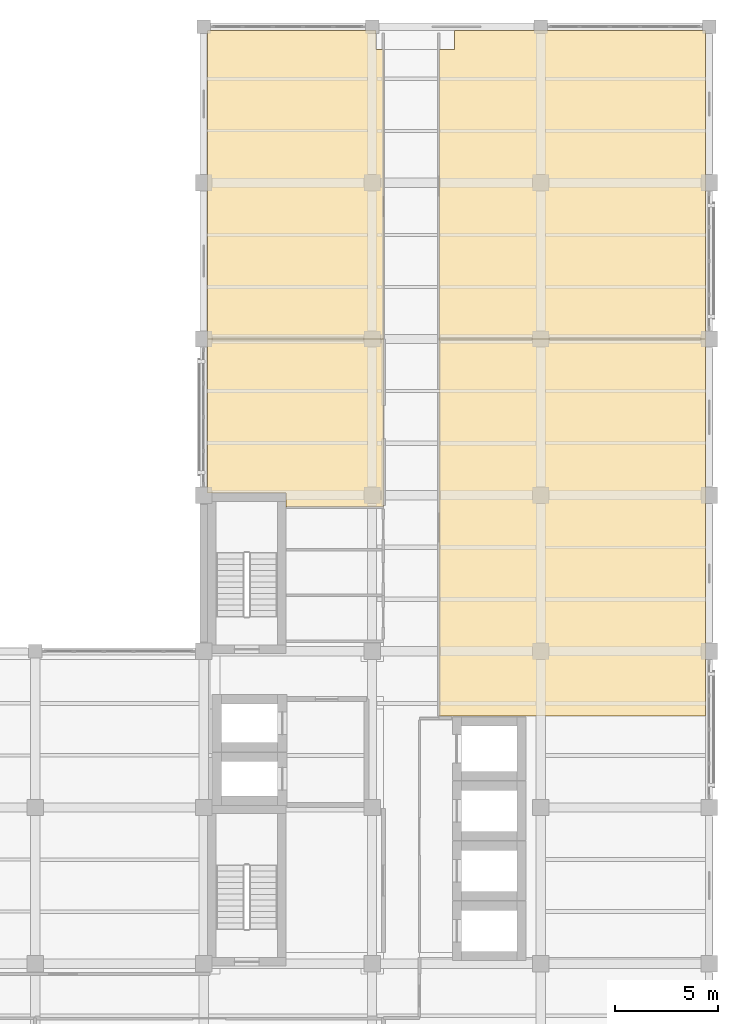
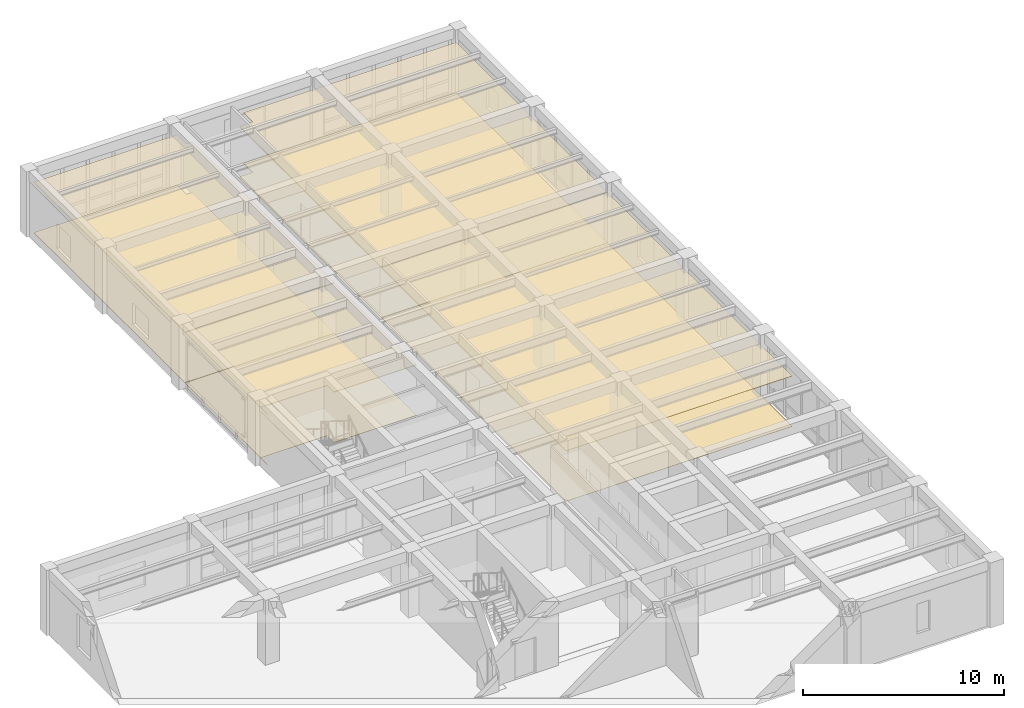
# One storey, part 13 of 13: 8 coverings.
"""IFC4 building model written with IfcOpenShell, lengths in metres."""

from ifc_helpers import new_model, si_unit, direction, frame, origin, place, context, subcontext, project, spatial, polyline, outline, extrude, material, layer, layer_set, type_object, element, save


model = new_model("IFC4")

# Units and contexts
model_context = context("Model", 3, precision=1e-05, world=origin(), true_north=direction((0.0, 1.0)))
body_context = subcontext(model_context, "Body", "Model", "MODEL_VIEW")
ifc_project = project(units=[si_unit("LENGTHUNIT", "METRE"), si_unit("AREAUNIT", "SQUARE_METRE"), si_unit("VOLUMEUNIT", "CUBIC_METRE"), si_unit("PLANEANGLEUNIT", "RADIAN"), si_unit("MASSUNIT", "GRAM", prefix="KILO")], contexts=[model_context])

# Site, building, storey
site_placement = place(None, origin())
site = spatial("IfcSite", under=ifc_project, at=site_placement, CompositionType="ELEMENT")
building_placement = place(site_placement, origin())
building = spatial("IfcBuilding", under=site, at=building_placement, Name="Qandaris Square Conservatory and Botanical Centre", CompositionType="ELEMENT")
storey_placement = place(building_placement, frame((0.0, 0.0, 45.0)))
storey = spatial("IfcBuildingStorey", under=building, at=storey_placement, Name="L10", CompositionType="ELEMENT", Elevation=45.0)

# Coverings
ifc_material_1 = material(Name="Honed Qatari Limestone", Category="masonry")
ifc_layer_1 = layer(ifc_material_1, 0.030029296875)
ifc_layer_set_1 = layer_set([ifc_layer_1], Name="Honed Qatari Limestone")
covering_type_1 = type_object("IfcCoveringType", Name="Honed Qatari Limestone Concourse Paving", PredefinedType="FLOORING", material=ifc_layer_set_1)
covering_1_placement = place(storey_placement, origin())
element("IfcCovering", 1, at=covering_1_placement, inside=storey, type_object=covering_type_1, Name="Quantitative Ecology Collaborative Seminar Room Flooring", PredefinedType="FLOORING", context=body_context, shape_type="SweptSolid", body=[
    extrude(outline(polyline([(147.949951171875, 54.60009765625), (139.3798828125, 54.60009765625), (139.3798828125, 69.6201171875), (147.60009765625, 69.6201171875), (147.60009765625, 68.699951171875), (147.949951171875, 68.699951171875), (147.949951171875, 54.60009765625)])), origin(), (0.0, 0.0, 1.0), 0.030029296875),
])
covering_2_placement = place(storey_placement, origin())
element("IfcCovering", 2, at=covering_2_placement, inside=storey, type_object=covering_type_1, Name="Floor L10 Staff Write-Up Lounge Flooring", PredefinedType="FLOORING", context=body_context, shape_type="SweptSolid", body=[
    extrude(outline(polyline([(150.64990234375, 54.60009765625), (150.64990234375, 68.699951171875), (151.39990234375, 68.699951171875), (151.39990234375, 69.6201171875), (163.6201171875, 69.6201171875), (163.6201171875, 54.60009765625), (150.64990234375, 54.60009765625)])), origin(), (0.0, 0.0, 1.0), 0.030029296875),
])
ifc_material_2 = material(Name="Gypsum Plasterboard", Category="gypsum")
ifc_layer_2 = layer(ifc_material_2, 0.02490234375)
ifc_layer_set_2 = layer_set([ifc_layer_2], Name="Gypsum Plasterboard")
covering_type_2 = type_object("IfcCoveringType", Name="Perforated Acoustic Lab Ceiling Tile", PredefinedType="CEILING", material=ifc_layer_set_2)
covering_3_placement = place(storey_placement, frame((0.0, 0.0, 3.050048828125)))
element("IfcCovering", 3, at=covering_3_placement, inside=storey, type_object=covering_type_2, Name="Medicinal Flora Analytical Laboratory Ceiling", PredefinedType="CEILING", context=body_context, shape_type="SweptSolid", body=[
    extrude(outline(polyline([(150.64990234375, 54.60009765625), (163.6201171875, 54.60009765625), (163.6201171875, 36.25), (150.64990234375, 36.25), (150.64990234375, 54.60009765625)])), origin(), (0.0, 0.0, 1.0), 0.02490234375),
])
covering_4_placement = place(storey_placement, frame((0.0, 0.0, 3.050048828125)))
element("IfcCovering", 4, at=covering_4_placement, inside=storey, type_object=covering_type_2, Name="Carpology Dormancy Specimen Prep Room Ceiling", PredefinedType="CEILING", context=body_context, shape_type="SweptSolid", body=[
    extrude(outline(polyline([(147.949951171875, 46.419921875), (143.199951171875, 46.419921875), (143.199951171875, 47.10009765625), (139.39990234375, 47.10009765625), (139.39990234375, 46.419921875), (139.3798828125, 46.419921875), (139.3798828125, 54.60009765625), (147.949951171875, 54.60009765625), (147.949951171875, 46.419921875)])), origin(), (0.0, 0.0, 1.0), 0.02490234375),
])
ifc_material_3 = material(Name="Epoxy Resin Screed", Category="finish")
ifc_layer_3 = layer(ifc_material_3, 0.014892578125)
ifc_layer_set_3 = layer_set([ifc_layer_3], Name="Epoxy Resin Screed")
covering_type_3 = type_object("IfcCoveringType", Name="Seamless Epoxy Laboratory Flooring", PredefinedType="FLOORING", material=ifc_layer_set_3)
covering_5_placement = place(storey_placement, origin())
element("IfcCovering", 5, at=covering_5_placement, inside=storey, type_object=covering_type_3, Name="Medicinal Flora Analytical Laboratory Flooring", PredefinedType="FLOORING", context=body_context, shape_type="SweptSolid", body=[
    extrude(outline(polyline([(150.64990234375, 54.60009765625), (163.6201171875, 54.60009765625), (163.6201171875, 36.25), (150.64990234375, 36.25), (150.64990234375, 54.60009765625)])), origin(), (0.0, 0.0, 1.0), 0.014892578125),
])
covering_6_placement = place(storey_placement, origin())
element("IfcCovering", 6, at=covering_6_placement, inside=storey, type_object=covering_type_3, Name="Carpology Dormancy Specimen Prep Room Flooring", PredefinedType="FLOORING", context=body_context, shape_type="SweptSolid", body=[
    extrude(outline(polyline([(147.949951171875, 46.419921875), (143.199951171875, 46.419921875), (143.199951171875, 47.10009765625), (139.39990234375, 47.10009765625), (139.39990234375, 46.419921875), (139.3798828125, 46.419921875), (139.3798828125, 54.60009765625), (147.949951171875, 54.60009765625), (147.949951171875, 46.419921875)])), origin(), (0.0, 0.0, 1.0), 0.014892578125),
])
ifc_material_4 = material(Name="Engineered Oak Timber", Category="wood")
ifc_layer_4 = layer(ifc_material_4, 0.0400390625)
ifc_layer_set_4 = layer_set([ifc_layer_4], Name="Engineered Oak Timber")
covering_type_4 = type_object("IfcCoveringType", Name="Slatted Oak Acoustic Gallery Ceiling", PredefinedType="CEILING", material=ifc_layer_set_4)
covering_7_placement = place(storey_placement, frame((0.0, 0.0, 3.050048828125)))
element("IfcCovering", 7, at=covering_7_placement, inside=storey, type_object=covering_type_4, Name="Quantitative Ecology Collaborative Seminar Room Ceiling", PredefinedType="CEILING", context=body_context, shape_type="SweptSolid", body=[
    extrude(outline(polyline([(147.949951171875, 54.60009765625), (139.3798828125, 54.60009765625), (139.3798828125, 69.6201171875), (147.60009765625, 69.6201171875), (147.60009765625, 68.699951171875), (147.949951171875, 68.699951171875), (147.949951171875, 54.60009765625)])), origin(), (0.0, 0.0, 1.0), 0.0400390625),
])
covering_8_placement = place(storey_placement, frame((0.0, 0.0, 3.050048828125)))
element("IfcCovering", 8, at=covering_8_placement, inside=storey, type_object=covering_type_4, Name="Floor L10 Staff Write-Up Lounge Ceiling", PredefinedType="CEILING", context=body_context, shape_type="SweptSolid", body=[
    extrude(outline(polyline([(150.64990234375, 54.60009765625), (150.64990234375, 68.699951171875), (151.39990234375, 68.699951171875), (151.39990234375, 69.6201171875), (163.6201171875, 69.6201171875), (163.6201171875, 54.60009765625), (150.64990234375, 54.60009765625)])), origin(), (0.0, 0.0, 1.0), 0.0400390625),
])

save(model, "model.ifc")
